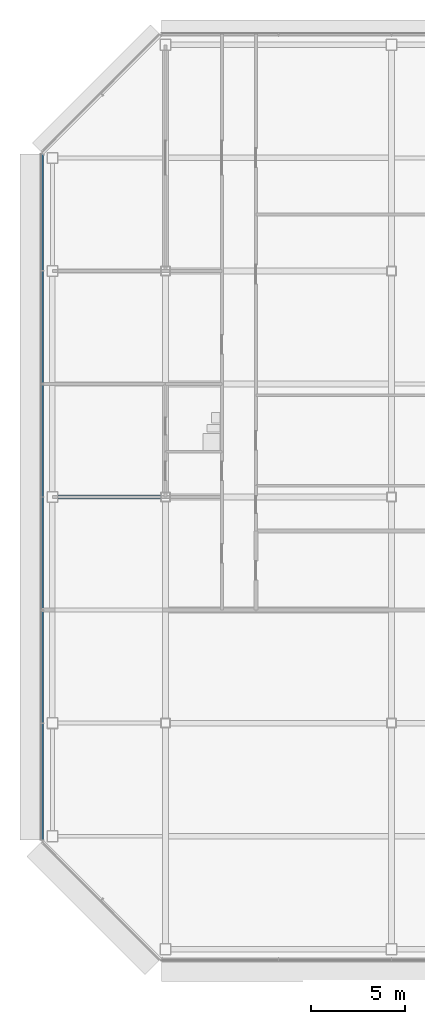
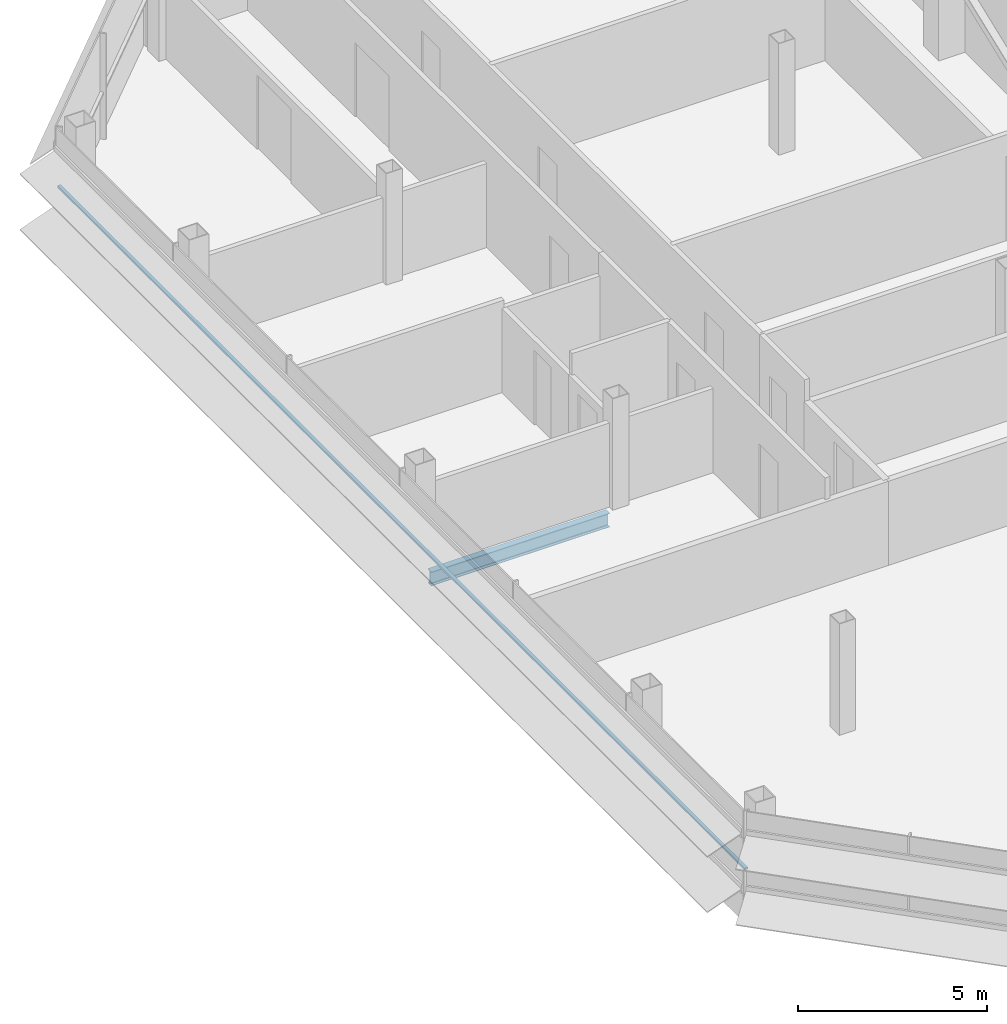
# One storey, part 6 of 27: 1 beam, 1 member, 1 element without a shape of its own.
"""IFC4 building model written with IfcOpenShell, lengths in metres."""

import ifcopenshell
import ifcopenshell.guid

model = None  # the IFC model being written
_history = None  # IfcOwnerHistory: only IFC2X3 demands one
_inside = {}  # id of a spatial element -> (the spatial element, [elements in it])
_under = {}  # id of a project, library or spatial element -> (it, [spatial elements below it])
_declared = {}  # id of a project -> (the project, [libraries it declares])
_typed = {}  # id of a type object -> (the type object, [elements of that type])
_made_of = {}  # id of a material, layer set ... -> (it, [elements and type objects made of it])


def new_model(schema):
    """Start an empty IFC model of exactly this schema.

    Asked for "IFC4X3", IfcOpenShell would pick the latest addendum, in which some entities
    have other attributes; the version numbers below select the first issue.
    IFC2X3 requires an IfcOwnerHistory on every rooted entity: one is made here for all.
    """
    global model, _history
    if schema == "IFC4X3":
        model = ifcopenshell.file(schema_version=(4, 3, 0, 0))
    else:
        model = ifcopenshell.file(schema=schema)
    _inside.clear()
    _under.clear()
    _declared.clear()
    _typed.clear()
    _made_of.clear()
    _history = None
    if model.schema == "IFC2X3":
        org = make("IfcOrganization", Name="unknown")
        user = make(
            "IfcPersonAndOrganization",
            ThePerson=make("IfcPerson", FamilyName="unknown"),
            TheOrganization=org,
        )
        app = make(
            "IfcApplication",
            ApplicationDeveloper=org,
            Version="unknown",
            ApplicationFullName="unknown",
            ApplicationIdentifier="unknown",
        )
        _history = make(
            "IfcOwnerHistory",
            OwningUser=user,
            OwningApplication=app,
            ChangeAction="ADDED",
            CreationDate=0,
        )
    return model


def make(cls, **values):
    """One entity of the class cls with the attributes given. An attribute that is None is left unset."""
    return model.create_entity(
        cls, **{name: value for name, value in values.items() if value is not None}
    )


def rooted(cls, **values):
    """An entity with a GlobalId (a new one), such as an element, a storey or a relation."""
    return make(cls, GlobalId=ifcopenshell.guid.new(), OwnerHistory=_history, **values)


def si_unit(unit_type, name, prefix=None):
    """IfcSIUnit, for example si_unit("LENGTHUNIT", "METRE", prefix="MILLI")."""
    return make("IfcSIUnit", UnitType=unit_type, Prefix=prefix, Name=name)


def assignment(units):
    """IfcUnitAssignment: the units of a project."""
    return None if units is None else make("IfcUnitAssignment", Units=units)


def point(xyz):
    """IfcCartesianPoint."""
    return None if xyz is None else make("IfcCartesianPoint", Coordinates=xyz)


def direction(xyz):
    """IfcDirection."""
    return None if xyz is None else make("IfcDirection", DirectionRatios=xyz)


def frame(location, z_axis=None, x_axis=None):
    """IfcAxis2Placement3D, a coordinate frame: its origin and axes. An axis left out is left unset."""
    return make(
        "IfcAxis2Placement3D",
        Location=point(location),
        Axis=direction(z_axis),
        RefDirection=direction(x_axis),
    )


def frame_2d(location, x_axis=None):
    """IfcAxis2Placement2D, a coordinate frame in the plane: its origin and x axis."""
    return make(
        "IfcAxis2Placement2D", Location=point(location), RefDirection=direction(x_axis)
    )


def origin():
    """The frame at (0, 0, 0) with its axes left unset."""
    return frame((0.0, 0.0, 0.0))


def origin_2d():
    """The frame at (0, 0) in the plane with its x axis left unset."""
    return frame_2d((0.0, 0.0))


def place(relative_to, where):
    """IfcLocalPlacement: puts the frame where relative to a parent placement (None: the world)."""
    return make(
        "IfcLocalPlacement", PlacementRelTo=relative_to, RelativePlacement=where
    )


def context(
    kind, dimensions, precision=None, world=None, true_north=None, identifier=None
):
    """IfcGeometricRepresentationContext, for example the 3D "Model" context."""
    return make(
        "IfcGeometricRepresentationContext",
        ContextIdentifier=identifier,
        ContextType=kind,
        CoordinateSpaceDimension=dimensions,
        Precision=precision,
        WorldCoordinateSystem=world,
        TrueNorth=true_north,
    )


def subcontext(parent, identifier, kind, view, scale=None):
    """IfcGeometricRepresentationSubContext, for example "Body" below "Model"."""
    return make(
        "IfcGeometricRepresentationSubContext",
        ContextIdentifier=identifier,
        ContextType=kind,
        ParentContext=parent,
        TargetScale=scale,
        TargetView=view,
    )


def project(units=None, contexts=None):
    """IfcProject with its units and contexts."""
    return rooted(
        "IfcProject",
        Name="project",
        RepresentationContexts=contexts,
        UnitsInContext=assignment(units),
    )


def spatial(cls, under=None, at=None, **own):
    """A site, building, storey or space (cls), placed at a placement, below another one or the project."""
    s = rooted(cls, ObjectPlacement=at, **own)
    if under is not None:
        _under.setdefault(under.id(), (under, []))[1].append(s)
    return s


def profile(cls, at=None, kind="AREA", **sizes):
    """A parametric profile (cls). Its sizes go by their IFC names, for example OverallWidth=200.0."""
    return make(cls, ProfileType=kind, Position=at, **sizes)


def rectangle(**sizes):
    """IfcRectangleProfileDef."""
    return profile("IfcRectangleProfileDef", **sizes)


def i_section(**sizes):
    """IfcIShapeProfileDef."""
    return profile("IfcIShapeProfileDef", **sizes)


def extrude(swept, where, along, depth):
    """IfcExtrudedAreaSolid: the profile swept, set in the frame where, extruded along a direction by depth."""
    return make(
        "IfcExtrudedAreaSolid",
        SweptArea=swept,
        Position=where,
        ExtrudedDirection=direction(along),
        Depth=depth,
    )


def shape(context_of_items, identifier, shape_type, items):
    """IfcShapeRepresentation: the items that make up one representation, for example the "Body"."""
    return make(
        "IfcShapeRepresentation",
        ContextOfItems=context_of_items,
        RepresentationIdentifier=identifier,
        RepresentationType=shape_type,
        Items=items,
    )


def material(Name=None, Category=None):
    """IfcMaterial."""
    return make("IfcMaterial", Name=Name, Category=Category)


def material_profile(
    of_material, cross_section, Name=None, Category=None, Priority=None
):
    """IfcMaterialProfile: a cross section and its material."""
    return make(
        "IfcMaterialProfile",
        Name=Name,
        Material=of_material,
        Profile=cross_section,
        Priority=Priority,
        Category=Category,
    )


def profile_set(profiles, Name=None, composite=None):
    """IfcMaterialProfileSet."""
    return make(
        "IfcMaterialProfileSet",
        Name=Name,
        MaterialProfiles=profiles,
        CompositeProfile=composite,
    )


def made_of(thing, what):
    """Note that an element or type object is made of a material, layer set ...; save() writes the relation."""
    if what is not None:
        _made_of.setdefault(what.id(), (what, []))[1].append(thing)
    return thing


def type_object(cls, material=None, **own):
    """A type object (cls), such as IfcWallType, which elements share."""
    return made_of(rooted(cls, **own), material)


def element(
    cls,
    number,
    at=None,
    inside=None,
    cuts=None,
    type_object=None,
    material=None,
    context=None,
    identifier="Body",
    shape_type=None,
    held_by="IfcProductDefinitionShape",
    body=None,
    shapes=None,
    **own,
):
    """One element of the class cls, such as IfcWall. Its Tag is "e" and its number.

    at: its placement. inside: the storey or other place that contains it. cuts: it is an
    opening in that element (IfcRelVoidsElement). A single representation is given by context,
    identifier, shape_type and body (its items); several are given by shapes. held_by: the class
    of the entity that holds the representations. save() writes the other relations.
    """
    e = rooted(cls, Tag="e%d" % number, ObjectPlacement=at, **own)
    if body is not None:
        shapes = [shape(context, identifier, shape_type, body)]
    if shapes is not None:
        e.Representation = make(held_by, Representations=shapes)
    if inside is not None:
        _inside.setdefault(inside.id(), (inside, []))[1].append(e)
    if cuts is not None:
        rooted(
            "IfcRelVoidsElement", RelatingBuildingElement=cuts, RelatedOpeningElement=e
        )
    if type_object is not None:
        _typed.setdefault(type_object.id(), (type_object, []))[1].append(e)
    return made_of(e, material)


def aggregate(whole, parts):
    """IfcRelAggregates: a whole, such as a stair, and the parts it consists of."""
    return rooted("IfcRelAggregates", RelatingObject=whole, RelatedObjects=parts)


def save(model, path):
    """Write the relations noted so far, then the file.

    IfcRelAggregates (storeys below a building ...), IfcRelContainedInSpatialStructure (elements
    in a storey), IfcRelDefinesByType, IfcRelAssociatesMaterial and IfcRelDeclares: one each for
    every whole, place, type object, material and project.
    """
    for whole, parts in _under.values():
        aggregate(whole, parts)
    for where, things in _inside.values():
        rooted(
            "IfcRelContainedInSpatialStructure",
            RelatedElements=things,
            RelatingStructure=where,
        )
    for kind, things in _typed.values():
        rooted("IfcRelDefinesByType", RelatedObjects=things, RelatingType=kind)
    for what, things in _made_of.values():
        rooted("IfcRelAssociatesMaterial", RelatedObjects=things, RelatingMaterial=what)
    for by, libraries in _declared.values():
        rooted("IfcRelDeclares", RelatingContext=by, RelatedDefinitions=libraries)
    model.write(path)


model = new_model("IFC4")

# Units and contexts
model_context = context("Model", 3, precision=1e-05, world=origin(), true_north=direction((0.0, 1.0)))
body_context = subcontext(model_context, "Body", "Model", "MODEL_VIEW")
ifc_project = project(units=[si_unit("LENGTHUNIT", "METRE"), si_unit("AREAUNIT", "SQUARE_METRE"), si_unit("VOLUMEUNIT", "CUBIC_METRE"), si_unit("PLANEANGLEUNIT", "RADIAN"), si_unit("MASSUNIT", "GRAM", prefix="KILO")], contexts=[model_context])

# Site, building, storey
site_placement = place(None, origin())
site = spatial("IfcSite", under=ifc_project, at=site_placement, CompositionType="ELEMENT")
building_placement = place(site_placement, origin())
building = spatial("IfcBuilding", under=site, at=building_placement, Name="Sorahane Residences", CompositionType="ELEMENT")
storey_placement = place(building_placement, frame((0.0, 0.0, 298.0)))
storey = spatial("IfcBuildingStorey", under=building, at=storey_placement, Name="L70", CompositionType="ELEMENT", Elevation=298.0)

# Curtain wall, member
ifc_material_1 = material(Name="Dark low-e glass and black anodised aluminium", Category="aluminium")
curtain_wall_type = type_object("IfcCurtainWallType", Name="Curtain wall CW-1 Typical unitised wall", PredefinedType="NOTDEFINED", material=ifc_material_1)
curtain_wall_placement = place(storey_placement, origin())
curtain_wall = element("IfcCurtainWall", 1, at=curtain_wall_placement, inside=storey, type_object=curtain_wall_type, Name="CW-1 curtain wall L70 W2", PredefinedType="NOTDEFINED")
ifc_material_2 = material(Name="Black anodised aluminium", Category="aluminium")
ifc_material_profile_1 = material_profile(ifc_material_2, rectangle(XDim=0.10009765625, YDim=0.06005859375, at=origin_2d()), Name="Curtain wall transom CW-1 black anodised aluminium 60x100")
ifc_profile_set_1 = profile_set([ifc_material_profile_1], Name="Black anodised aluminium")
member_type = type_object("IfcMemberType", Name="Curtain wall transom CW-1 black anodised aluminium 60x100", PredefinedType="USERDEFINED", material=ifc_profile_set_1)
member_placement = place(storey_placement, frame((-18.530029296875, 42.198486328125, 1.5), z_axis=(0.0, -1.0, 0.0), x_axis=(1.0, 0.0, 0.0)))
member = element("IfcMember", 2, at=member_placement, type_object=member_type, Name="CW-1 transom L70 W2", ObjectType="TRANSOM", PredefinedType="USERDEFINED", context=body_context, shape_type="SweptSolid", body=[
    extrude(rectangle(XDim=0.10009765625, YDim=0.06005859375, at=origin_2d()), origin(), (0.0, 0.0, 1.0), 36.39697265625),
])
aggregate(curtain_wall, [member])

# Beam
ifc_material_3 = material(Name="Steel Q355B", Category="steel")
ifc_material_profile_2 = material_profile(ifc_material_3, i_section(OverallWidth=0.199951171875, OverallDepth=0.449951171875, WebThickness=0.009033203125, FlangeThickness=0.013916015625, FilletRadius=0.02001953125, at=origin_2d()), Name="HN 450x200x9x14")
ifc_profile_set_2 = profile_set([ifc_material_profile_2], Name="Steel Q355B")
beam_type = type_object("IfcBeamType", Name="Steel floor beam HN 450x200x9x14 Q355B", PredefinedType="BEAM", material=ifc_profile_set_2)
beam_placement = place(storey_placement, frame((-17.699951171875, 24.0, -0.405029296875), z_axis=(1.0, 0.0, 0.0), x_axis=(0.0, 1.0, 0.0)))
element("IfcBeam", 3, at=beam_placement, inside=storey, type_object=beam_type, Name="Beam L70 011", PredefinedType="BEAM", context=body_context, shape_type="SweptSolid", body=[
    extrude(i_section(OverallWidth=0.199951171875, OverallDepth=0.449951171875, WebThickness=0.009033203125, FlangeThickness=0.013916015625, FilletRadius=0.02001953125, at=origin_2d()), origin(), (0.0, 0.0, 1.0), 5.449951171875),
])

save(model, "model.ifc")
